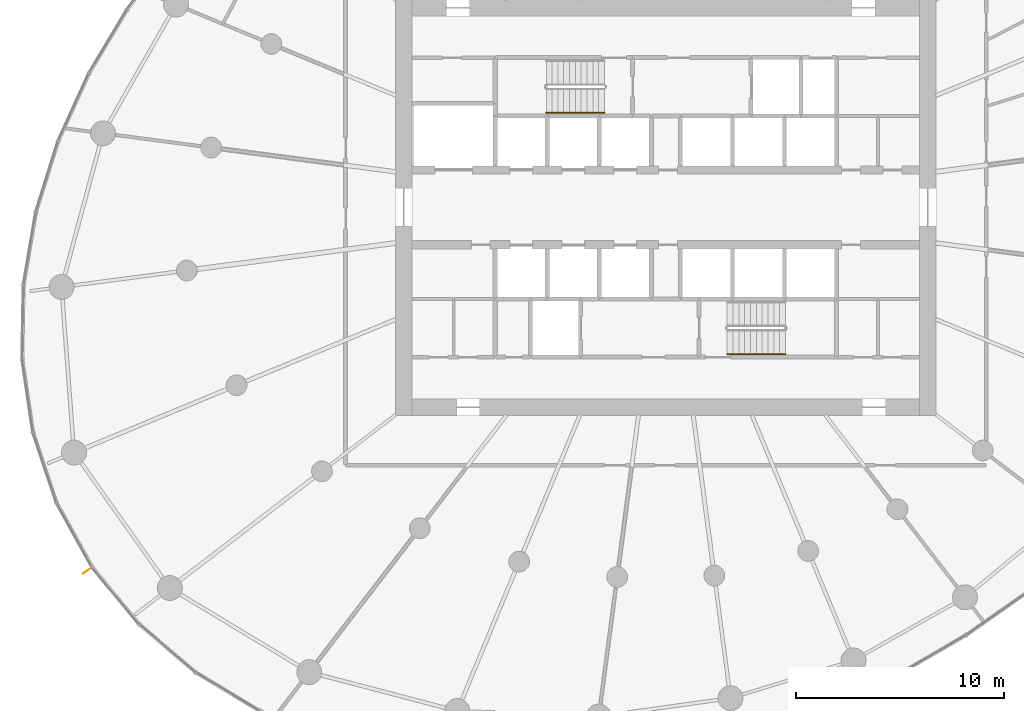
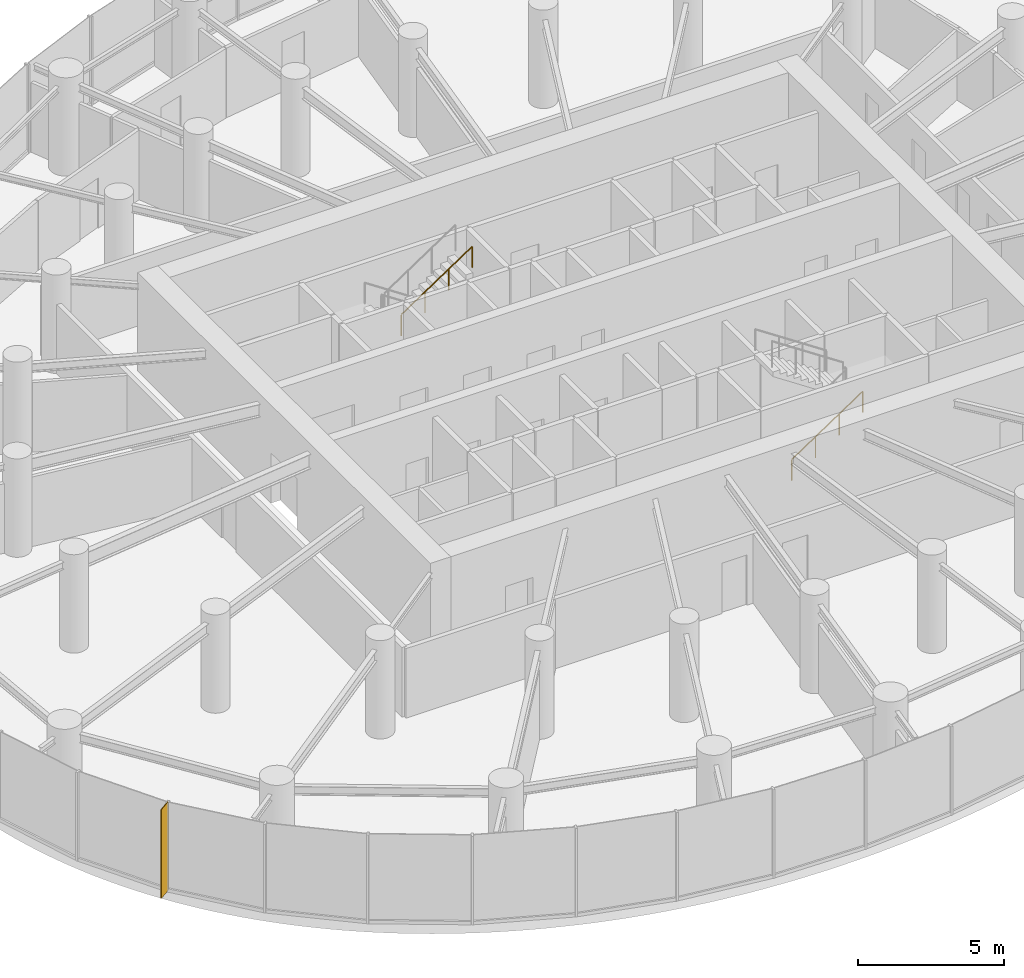
# One storey, part 16 of 18: 2 railings, 1 shading device.
"""IFC4 building model written with IfcOpenShell, lengths in metres."""

from ifc_helpers import new_model, si_unit, direction, frame, origin, origin_2d, place, context, subcontext, project, spatial, rectangle, circle, extrude, source, transform, mapped, material, material_profile, profile_set, type_object, element, save


model = new_model("IFC4")

# Units and contexts
model_context = context("Model", 3, precision=1e-05, world=origin(), true_north=direction((0.0, 1.0)))
body_context = subcontext(model_context, "Body", "Model", "MODEL_VIEW")
ifc_project = project(units=[si_unit("LENGTHUNIT", "METRE"), si_unit("AREAUNIT", "SQUARE_METRE"), si_unit("VOLUMEUNIT", "CUBIC_METRE"), si_unit("PLANEANGLEUNIT", "RADIAN"), si_unit("MASSUNIT", "GRAM", prefix="KILO")], contexts=[model_context])

# Site, building, storey
site_placement = place(None, origin())
site = spatial("IfcSite", under=ifc_project, at=site_placement, CompositionType="ELEMENT")
building_placement = place(site_placement, origin())
building = spatial("IfcBuilding", under=site, at=building_placement, Name="Spindrift Exchange Tower", CompositionType="ELEMENT")
storey_placement = place(building_placement, frame((0.0, 0.0, 116.699951171875)))
storey = spatial("IfcBuildingStorey", under=building, at=storey_placement, Name="L27", CompositionType="ELEMENT", Elevation=116.699951171875)

# Railings
ifc_material_1 = material(Name="Steel tubular handrail", Category="steel")
railing_type = type_object("IfcRailingType", Name="RL-STAIR-HAND", PredefinedType="HANDRAIL", material=ifc_material_1)
railing_1_placement = place(storey_placement, frame((46.25, 52.550048828125, 2.236328125)))
element("IfcRailing", 1, at=railing_1_placement, inside=storey, type_object=railing_type, Name="L27 ST1 stair handrail 2", PredefinedType="HANDRAIL", context=body_context, shape_type="SweptSolid", body=[
    extrude(circle(Radius=0.02392578125, at=origin_2d()), frame((0.0, 0.0, 0.8759765625), z_axis=(0.832452072856, 0.0, 0.554097055034), x_axis=(0.0, 1.0, 0.0)), (0.0, 0.0, 1.0), 3.363525390625),
    extrude(circle(Radius=0.02099609375, at=origin_2d()), origin(), (0.0, 0.0, 1.0), 0.851806640625),
    extrude(circle(Radius=0.02099609375, at=origin_2d()), frame((0.933349609375, 0.0, 0.621337890625)), (0.0, 0.0, 1.0), 0.851806640625),
    extrude(circle(Radius=0.02099609375, at=origin_2d()), frame((1.86669921875, 0.0, 1.242431640625)), (0.0, 0.0, 1.0), 0.851806640625),
    extrude(circle(Radius=0.02099609375, at=origin_2d()), frame((2.800048828125, 0.0, 1.86376953125)), (0.0, 0.0, 1.0), 0.851806640625),
])
railing_2_placement = place(storey_placement, frame((54.949951171875, 40.949951171875, 0.1865234375)))
element("IfcRailing", 2, at=railing_2_placement, inside=storey, type_object=railing_type, Name="L27 ST2 stair handrail 1", PredefinedType="HANDRAIL", context=body_context, shape_type="SweptSolid", body=[
    extrude(circle(Radius=0.02392578125, at=origin_2d()), frame((0.0, 0.0, 0.8759765625), z_axis=(0.832485552168, 0.0, 0.554046753832), x_axis=(0.0, 1.0, 0.0)), (0.0, 0.0, 1.0), 3.363525390625),
    extrude(circle(Radius=0.02099609375, at=origin_2d()), origin(), (0.0, 0.0, 1.0), 0.851806640625),
    extrude(circle(Radius=0.02099609375, at=origin_2d()), frame((0.933349609375, 0.0, 0.62109375)), (0.0, 0.0, 1.0), 0.851806640625),
    extrude(circle(Radius=0.02099609375, at=origin_2d()), frame((1.86669921875, 0.0, 1.242431640625)), (0.0, 0.0, 1.0), 0.851806640625),
    extrude(circle(Radius=0.02099609375, at=origin_2d()), frame((2.800048828125, 0.0, 1.863525390625)), (0.0, 0.0, 1.0), 0.851806640625),
])

# Shading device
ifc_material_2 = material(Name="Bronze anodised aluminium", Category="aluminium")
ifc_material_profile = material_profile(ifc_material_2, rectangle(XDim=0.030029296875, YDim=0.550048828125, at=origin_2d()), Name="WIND FIN 30X550")
ifc_profile_set = profile_set([ifc_material_profile], Name="Bronze anodised aluminium")
shading_device_type = type_object("IfcShadingDeviceType", Name="WIND FIN 30X550", PredefinedType="USERDEFINED", material=ifc_profile_set)
shared_shape = source(origin(), body_context, "Body", "SweptSolid", [
    extrude(rectangle(XDim=0.030029296875, YDim=0.550048828125, at=origin_2d()), origin(), (0.0, 0.0, 1.0), 3.699951171875),
])
shading_device_placement = place(storey_placement, frame((24.21337890625, 30.555419921875, 0.0), z_axis=(0.0, 0.0, 1.0), x_axis=(0.562408128286, -0.826859780881, 0.0)))
element("IfcShadingDevice", 3, at=shading_device_placement, inside=storey, type_object=shading_device_type, Name="L27 wind fin 1", ObjectType="FIN", PredefinedType="USERDEFINED", context=body_context, shape_type="MappedRepresentation", body=[
    mapped(shared_shape, transform((0.0, 0.0, 0.0), scale=1.0)),
])

save(model, "model.ifc")
